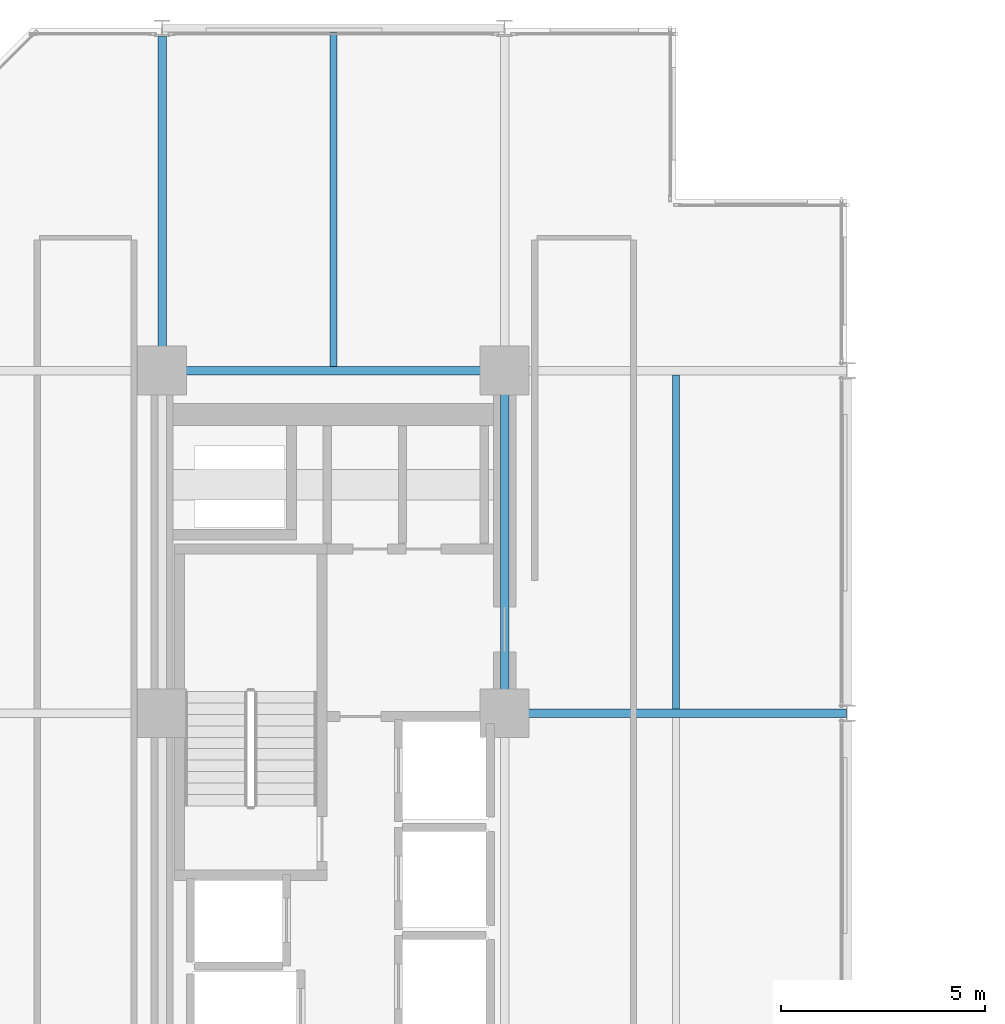
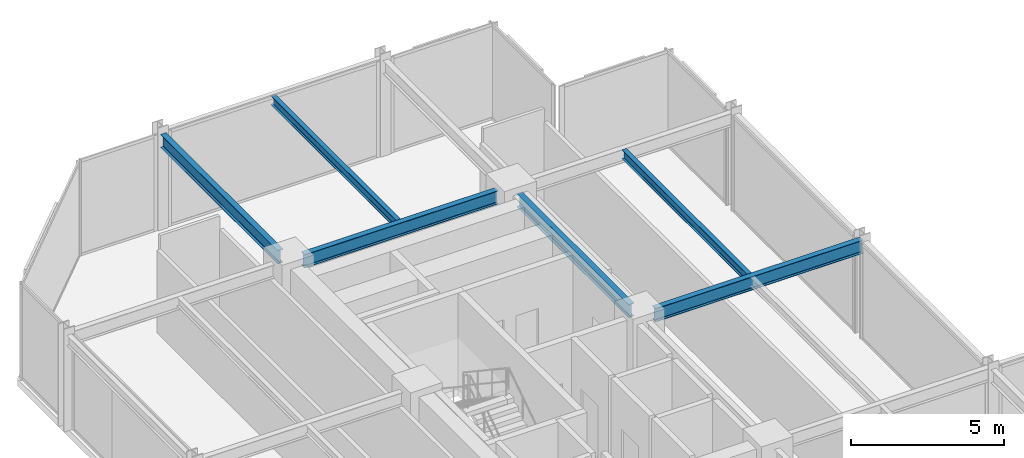
# One storey, part 26 of 38: 6 beams.
"""IFC4 building model written with IfcOpenShell, lengths in metres."""

from ifc_helpers import new_model, si_unit, direction, frame, origin, origin_2d, place, context, subcontext, project, spatial, i_section, extrude, material, material_profile, profile_set, type_object, element, save


model = new_model("IFC4")

# Units and contexts
model_context = context("Model", 3, precision=1e-05, world=origin(), true_north=direction((0.0, 1.0)))
body_context = subcontext(model_context, "Body", "Model", "MODEL_VIEW")
ifc_project = project(units=[si_unit("LENGTHUNIT", "METRE"), si_unit("AREAUNIT", "SQUARE_METRE"), si_unit("VOLUMEUNIT", "CUBIC_METRE"), si_unit("PLANEANGLEUNIT", "RADIAN"), si_unit("MASSUNIT", "GRAM", prefix="KILO")], contexts=[model_context])

# Site, building, storey
site_placement = place(None, origin())
site = spatial("IfcSite", under=ifc_project, at=site_placement, CompositionType="ELEMENT")
building_placement = place(site_placement, origin())
building = spatial("IfcBuilding", under=site, at=building_placement, Name="Nerrivon Quay Data Exchange", CompositionType="ELEMENT")
storey_placement = place(building_placement, frame((0.0, 0.0, 84.39990234375)))
storey = spatial("IfcBuildingStorey", under=building, at=storey_placement, Name="L19", CompositionType="ELEMENT", Elevation=84.39990234375)

# Beams
ifc_material = material(Name="Steel Grade 350", Category="steel")
ifc_material_profile_1 = material_profile(ifc_material, i_section(OverallWidth=0.208984375, OverallDepth=0.532958984375, WebThickness=0.01025390625, FlangeThickness=0.015625, FilletRadius=0.013916015625, at=origin_2d()), Name="530UB92.4")
ifc_profile_set_1 = profile_set([ifc_material_profile_1], Name="Steel Grade 350")
beam_type_1 = type_object("IfcBeamType", Name="BM-G3-530UB92", PredefinedType="BEAM", material=ifc_profile_set_1)
beam_1_placement = place(storey_placement, frame((17.340087890625, 33.60009765625, 3.55859375), z_axis=(1.0, 0.0, 0.0), x_axis=(0.0, 1.0, 0.0)))
element("IfcBeam", 1, at=beam_1_placement, inside=storey, type_object=beam_type_1, Name="L19 EW Girder Y=33.6 (16.8..25.2)", PredefinedType="BEAM", context=body_context, shape_type="SweptSolid", body=[
    extrude(i_section(OverallWidth=0.208984375, OverallDepth=0.532958984375, WebThickness=0.01025390625, FlangeThickness=0.015625, FilletRadius=0.013916015625, at=origin_2d()), origin(), (0.0, 0.0, 1.0), 7.847412109375),
])
beam_2_placement = place(storey_placement, frame((8.93994140625, 42.0, 3.55859375), z_axis=(1.0, 0.0, 0.0), x_axis=(0.0, 1.0, 0.0)))
element("IfcBeam", 2, at=beam_2_placement, inside=storey, type_object=beam_type_1, Name="L19 EW Girder Y=42.0 (8.4..16.8)", PredefinedType="BEAM", context=body_context, shape_type="SweptSolid", body=[
    extrude(i_section(OverallWidth=0.208984375, OverallDepth=0.532958984375, WebThickness=0.01025390625, FlangeThickness=0.015625, FilletRadius=0.013916015625, at=origin_2d()), origin(), (0.0, 0.0, 1.0), 7.320068359375),
])
ifc_material_profile_2 = material_profile(ifc_material, i_section(OverallWidth=0.208984375, OverallDepth=0.528076171875, WebThickness=0.009521484375, FlangeThickness=0.01318359375, FilletRadius=0.013916015625, at=origin_2d()), Name="530UB82.0")
ifc_profile_set_2 = profile_set([ifc_material_profile_2], Name="Steel Grade 350")
beam_type_2 = type_object("IfcBeamType", Name="BM-G4-530UB82", PredefinedType="BEAM", material=ifc_profile_set_2)
beam_3_placement = place(storey_placement, frame((8.39990234375, 42.5400390625, 3.56103515625), z_axis=(0.0, 1.0, 0.0), x_axis=(-1.0, 0.0, 0.0)))
element("IfcBeam", 3, at=beam_3_placement, inside=storey, type_object=beam_type_2, Name="L19 NS Girder X=8.4 (42.0..50.4)", PredefinedType="BEAM", context=body_context, shape_type="SweptSolid", body=[
    extrude(i_section(OverallWidth=0.208984375, OverallDepth=0.528076171875, WebThickness=0.009521484375, FlangeThickness=0.01318359375, FilletRadius=0.013916015625, at=origin_2d()), origin(), (0.0, 0.0, 1.0), 7.659912109375),
])
beam_4_placement = place(storey_placement, frame((16.800048828125, 34.139892578125, 3.56103515625), z_axis=(0.0, 1.0, 0.0), x_axis=(-1.0, 0.0, 0.0)))
element("IfcBeam", 4, at=beam_4_placement, inside=storey, type_object=beam_type_2, Name="L19 NS Girder X=16.8 (33.6..42.0)", PredefinedType="BEAM", context=body_context, shape_type="SweptSolid", body=[
    extrude(i_section(OverallWidth=0.208984375, OverallDepth=0.528076171875, WebThickness=0.009521484375, FlangeThickness=0.01318359375, FilletRadius=0.013916015625, at=origin_2d()), origin(), (0.0, 0.0, 1.0), 7.320068359375),
])
ifc_material_profile_3 = material_profile(ifc_material, i_section(OverallWidth=0.1708984375, OverallDepth=0.35595703125, WebThickness=0.00732421875, FlangeThickness=0.011474609375, FilletRadius=0.011474609375, at=origin_2d()), Name="360UB50.7")
ifc_profile_set_3 = profile_set([ifc_material_profile_3], Name="Steel Grade 350")
beam_type_3 = type_object("IfcBeamType", Name="BM-J4-360UB51", PredefinedType="JOIST", material=ifc_profile_set_3)
beam_5_placement = place(storey_placement, frame((12.60009765625, 42.1044921875, 3.647216796875), z_axis=(0.0, 1.0, 0.0), x_axis=(-1.0, 0.0, 0.0)))
element("IfcBeam", 5, at=beam_5_placement, inside=storey, type_object=beam_type_3, Name="L19 Secondary Joist X=12.6 (42.0..50.4)", PredefinedType="JOIST", context=body_context, shape_type="SweptSolid", body=[
    extrude(i_section(OverallWidth=0.1708984375, OverallDepth=0.35595703125, WebThickness=0.00732421875, FlangeThickness=0.011474609375, FilletRadius=0.011474609375, at=origin_2d()), origin(), (0.0, 0.0, 1.0), 8.20654296875),
])
beam_6_placement = place(storey_placement, frame((21.0, 33.70458984375, 3.647216796875), z_axis=(0.0, 1.0, 0.0), x_axis=(-1.0, 0.0, 0.0)))
element("IfcBeam", 6, at=beam_6_placement, inside=storey, type_object=beam_type_3, Name="L19 Secondary Joist X=21.0 (33.6..42.0)", PredefinedType="JOIST", context=body_context, shape_type="SweptSolid", body=[
    extrude(i_section(OverallWidth=0.1708984375, OverallDepth=0.35595703125, WebThickness=0.00732421875, FlangeThickness=0.011474609375, FilletRadius=0.011474609375, at=origin_2d()), origin(), (0.0, 0.0, 1.0), 8.19091796875),
])

save(model, "model.ifc")
